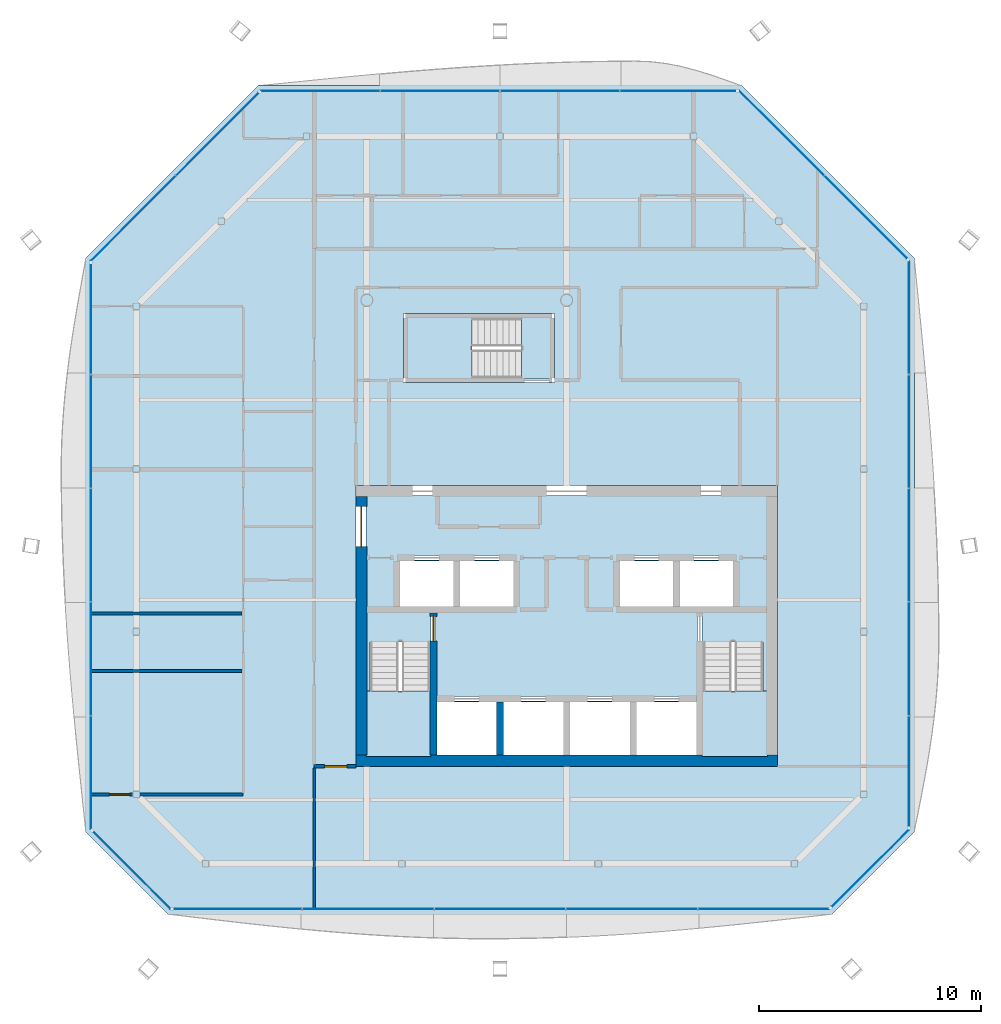
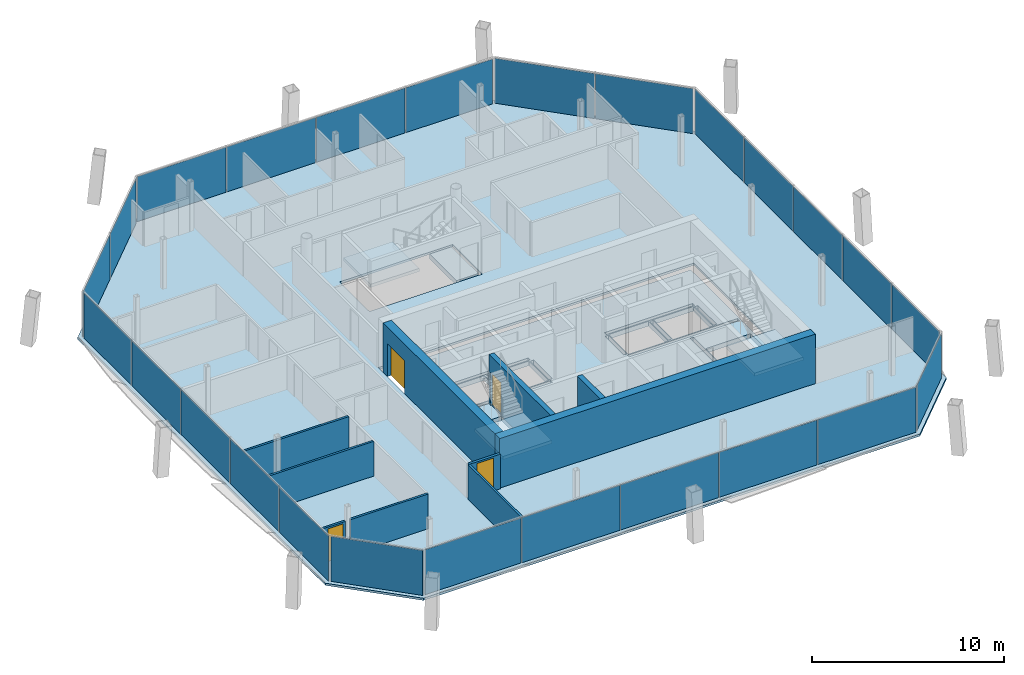
# One storey, part 11 of 17: 25 plates, 10 walls, 6 slabs, 4 doors, 4 openings, 11 elements without a shape of their own.
"""IFC4 building model written with IfcOpenShell, lengths in metres."""

from ifc_helpers import new_model, si_unit, direction, frame, frame_2d, origin, origin_2d, place, context, subcontext, project, spatial, polyline, rectangle, outline, extrude, material, layer, layer_set, type_object, element, fill, aggregate, save


model = new_model("IFC4")

# Units and contexts
model_context = context("Model", 3, precision=1e-05, world=origin(), true_north=direction((0.0, 1.0)))
body_context = subcontext(model_context, "Body", "Model", "MODEL_VIEW")
ifc_project = project(units=[si_unit("LENGTHUNIT", "METRE"), si_unit("AREAUNIT", "SQUARE_METRE"), si_unit("VOLUMEUNIT", "CUBIC_METRE"), si_unit("PLANEANGLEUNIT", "RADIAN"), si_unit("MASSUNIT", "GRAM", prefix="KILO")], contexts=[model_context])

# Site, building, storey
site_placement = place(None, origin())
site = spatial("IfcSite", under=ifc_project, at=site_placement, CompositionType="ELEMENT")
building_placement = place(site_placement, origin())
building = spatial("IfcBuilding", under=site, at=building_placement, Name="Tskaro Facet Tower", CompositionType="ELEMENT")
storey_placement = place(building_placement, frame((0.0, 0.0, 232.949951171875)))
storey = spatial("IfcBuildingStorey", under=building, at=storey_placement, Name="L60", CompositionType="ELEMENT", Elevation=232.949951171875)

# Slab
ifc_material_1 = material(Name="Concrete C30/37", Category="concrete")
ifc_layer_1 = layer(ifc_material_1, 0.139892578125, Name="Concrete C30/37")
ifc_layer_set_1 = layer_set([ifc_layer_1], Name="Concrete C30/37")
slab_type_1 = type_object("IfcSlabType", Name="Composite deck floor slab", PredefinedType="FLOOR", material=ifc_layer_set_1)
slab_1_placement = place(storey_placement, frame((0.0, 0.0, -0.139892578125)))
element("IfcSlab", 1, at=slab_1_placement, inside=storey, type_object=slab_type_1, Name="Floor slab FS3 L60", PredefinedType="FLOOR", context=body_context, shape_type="SweptSolid", body=[
    extrude(outline(polyline([(-17.947998046875, -18.68701171875), (11.947998046875, -18.68701171875), (15.68701171875, -14.947998046875), (15.68701171875, 10.883056640625), (7.883056640625, 18.68701171875), (-13.883056640625, 18.68701171875), (-21.68701171875, 10.883056640625), (-21.68701171875, -14.947998046875), (-17.947998046875, -18.68701171875)]), holes=[polyline([(-9.5, -12.0), (9.5, -12.0), (9.5, 0.64990234375), (-9.5, 0.64990234375), (-9.5, -12.0)]), polyline([(-7.35009765625, 5.300048828125), (-0.550048828125, 5.300048828125), (-0.550048828125, 8.39990234375), (-7.35009765625, 8.39990234375), (-7.35009765625, 5.300048828125)])]), origin(), (0.0, 0.0, 1.0), 0.139892578125),
])

# Curtain wall, plates
ifc_material_2 = material(Name="Bronze anodised aluminium 6063-T6", Category="aluminium")
curtain_wall_type = type_object("IfcCurtainWallType", Name="Bronze residence curtain wall (FW3)", PredefinedType="NOTDEFINED", material=ifc_material_2)
curtain_wall_1_placement = place(storey_placement, origin())
curtain_wall_1 = element("IfcCurtainWall", 2, at=curtain_wall_1_placement, inside=storey, type_object=curtain_wall_type, Name="FW3 south facet L60", PredefinedType="NOTDEFINED")
ifc_material_3 = material(Name="Bronze low-iron glass", Category="glass")
ifc_layer_2 = layer(ifc_material_3, 0.028076171875, Name="Bronze low-iron glass")
ifc_layer_set_2 = layer_set([ifc_layer_2], Name="Bronze low-iron glass")
plate_type = type_object("IfcPlateType", Name="FW3 bronze-tinted unit glazing 28", PredefinedType="CURTAIN_PANEL", material=ifc_layer_set_2)
plate_1_placement = place(storey_placement, frame((-14.817626953125, -18.43701171875, 0.0), z_axis=(0.0, 0.0, 1.0), x_axis=(1.0, 0.0, 0.0)))
plate_1 = element("IfcPlate", 3, at=plate_1_placement, type_object=plate_type, Name="FW3 south glazing 1.1", PredefinedType="CURTAIN_PANEL", context=body_context, shape_type="SweptSolid", body=[
    extrude(rectangle(XDim=5.772705078125, YDim=0.028076171875, at=origin_2d()), origin(), (0.0, 0.0, 1.0), 2.860107421875),
])
plate_2_placement = place(storey_placement, frame((-8.9375, -18.43701171875, 0.0), z_axis=(0.0, 0.0, 1.0), x_axis=(1.0, 0.0, 0.0)))
plate_2 = element("IfcPlate", 4, at=plate_2_placement, type_object=plate_type, Name="FW3 south glazing 2.1", PredefinedType="CURTAIN_PANEL", context=body_context, shape_type="SweptSolid", body=[
    extrude(rectangle(XDim=5.8876953125, YDim=0.028076171875, at=origin_2d()), origin(), (0.0, 0.0, 1.0), 2.860107421875),
])
plate_3_placement = place(storey_placement, frame((-3.0, -18.43701171875, 0.0), z_axis=(0.0, 0.0, 1.0), x_axis=(1.0, 0.0, 0.0)))
plate_3 = element("IfcPlate", 5, at=plate_3_placement, type_object=plate_type, Name="FW3 south glazing 3.1", PredefinedType="CURTAIN_PANEL", context=body_context, shape_type="SweptSolid", body=[
    extrude(rectangle(XDim=5.8876953125, YDim=0.028076171875, at=origin_2d()), origin(), (0.0, 0.0, 1.0), 2.860107421875),
])
plate_4_placement = place(storey_placement, frame((2.9375, -18.43701171875, 0.0), z_axis=(0.0, 0.0, 1.0), x_axis=(1.0, 0.0, 0.0)))
plate_4 = element("IfcPlate", 6, at=plate_4_placement, type_object=plate_type, Name="FW3 south glazing 4.1", PredefinedType="CURTAIN_PANEL", context=body_context, shape_type="SweptSolid", body=[
    extrude(rectangle(XDim=5.8876953125, YDim=0.028076171875, at=origin_2d()), origin(), (0.0, 0.0, 1.0), 2.860107421875),
])
plate_5_placement = place(storey_placement, frame((8.8876953125, -18.43701171875, 0.0), z_axis=(0.0, 0.0, 1.0), x_axis=(1.0, 0.0, 0.0)))
plate_5 = element("IfcPlate", 7, at=plate_5_placement, type_object=plate_type, Name="FW3 south glazing 5.1", PredefinedType="CURTAIN_PANEL", context=body_context, shape_type="SweptSolid", body=[
    extrude(rectangle(XDim=5.91259765625, YDim=0.028076171875, at=origin_2d()), origin(), (0.0, 0.0, 1.0), 2.860107421875),
])
aggregate(curtain_wall_1, [plate_1, plate_2, plate_3, plate_4, plate_5])

# Curtain wall, plate
curtain_wall_2_placement = place(storey_placement, origin())
curtain_wall_2 = element("IfcCurtainWall", 8, at=curtain_wall_2_placement, inside=storey, type_object=curtain_wall_type, Name="FW3 south-east facet L60", PredefinedType="NOTDEFINED")
plate_6_placement = place(storey_placement, frame((13.68994140625, -16.591064453125, 0.0), z_axis=(0.0, 0.0, 1.0), x_axis=(0.707106781187, 0.707106781187, 0.0)))
plate_6 = element("IfcPlate", 9, at=plate_6_placement, type_object=plate_type, Name="FW3 south-east glazing 1.1", PredefinedType="CURTAIN_PANEL", context=body_context, shape_type="SweptSolid", body=[
    extrude(rectangle(XDim=4.941162109375, YDim=0.028076171875, at=origin_2d()), origin(), (0.0, 0.0, 1.0), 2.860107421875),
])
aggregate(curtain_wall_2, [plate_6])

# Curtain wall, plates
curtain_wall_3_placement = place(storey_placement, origin())
curtain_wall_3 = element("IfcCurtainWall", 10, at=curtain_wall_3_placement, inside=storey, type_object=curtain_wall_type, Name="FW3 east facet L60", PredefinedType="NOTDEFINED")
plate_7_placement = place(storey_placement, frame((15.43701171875, -12.22412109375, 0.0), z_axis=(0.0, 0.0, 1.0), x_axis=(0.0, 1.0, 0.0)))
plate_7 = element("IfcPlate", 11, at=plate_7_placement, type_object=plate_type, Name="FW3 east glazing 1.1", PredefinedType="CURTAIN_PANEL", context=body_context, shape_type="SweptSolid", body=[
    extrude(rectangle(XDim=4.959716796875, YDim=0.028076171875, at=origin_2d()), origin(), (0.0, 0.0, 1.0), 2.860107421875),
])
plate_8_placement = place(storey_placement, frame((15.43701171875, -7.156982421875, 0.0), z_axis=(0.0, 0.0, 1.0), x_axis=(0.0, 1.0, 0.0)))
plate_8 = element("IfcPlate", 12, at=plate_8_placement, type_object=plate_type, Name="FW3 east glazing 2.1", PredefinedType="CURTAIN_PANEL", context=body_context, shape_type="SweptSolid", body=[
    extrude(rectangle(XDim=5.07470703125, YDim=0.028076171875, at=origin_2d()), origin(), (0.0, 0.0, 1.0), 2.860107421875),
])
plate_9_placement = place(storey_placement, frame((15.43701171875, -2.032470703125, 0.0), z_axis=(0.0, 0.0, 1.0), x_axis=(0.0, 1.0, 0.0)))
plate_9 = element("IfcPlate", 13, at=plate_9_placement, type_object=plate_type, Name="FW3 east glazing 3.1", PredefinedType="CURTAIN_PANEL", context=body_context, shape_type="SweptSolid", body=[
    extrude(rectangle(XDim=5.07470703125, YDim=0.028076171875, at=origin_2d()), origin(), (0.0, 0.0, 1.0), 2.860107421875),
])
plate_10_placement = place(storey_placement, frame((15.43701171875, 3.092041015625, 0.0), z_axis=(0.0, 0.0, 1.0), x_axis=(0.0, 1.0, 0.0)))
plate_10 = element("IfcPlate", 14, at=plate_10_placement, type_object=plate_type, Name="FW3 east glazing 4.1", PredefinedType="CURTAIN_PANEL", context=body_context, shape_type="SweptSolid", body=[
    extrude(rectangle(XDim=5.07470703125, YDim=0.028076171875, at=origin_2d()), origin(), (0.0, 0.0, 1.0), 2.860107421875),
])
plate_11_placement = place(storey_placement, frame((15.43701171875, 8.229248046875, 0.0), z_axis=(0.0, 0.0, 1.0), x_axis=(0.0, 1.0, 0.0)))
plate_11 = element("IfcPlate", 15, at=plate_11_placement, type_object=plate_type, Name="FW3 east glazing 5.1", PredefinedType="CURTAIN_PANEL", context=body_context, shape_type="SweptSolid", body=[
    extrude(rectangle(XDim=5.099609375, YDim=0.028076171875, at=origin_2d()), origin(), (0.0, 0.0, 1.0), 2.860107421875),
])
aggregate(curtain_wall_3, [plate_7, plate_8, plate_9, plate_10, plate_11])

curtain_wall_4_placement = place(storey_placement, origin())
curtain_wall_4 = element("IfcCurtainWall", 16, at=curtain_wall_4_placement, inside=storey, type_object=curtain_wall_type, Name="FW3 north-east facet L60", PredefinedType="NOTDEFINED")
plate_12_placement = place(storey_placement, frame((13.48193359375, 12.734130859375, 0.0), z_axis=(0.0, 0.0, 1.0), x_axis=(-0.707106781187, 0.707106781187, 0.0)))
plate_12 = element("IfcPlate", 17, at=plate_12_placement, type_object=plate_type, Name="FW3 north-east glazing 1.1", PredefinedType="CURTAIN_PANEL", context=body_context, shape_type="SweptSolid", body=[
    extrude(rectangle(XDim=5.25, YDim=0.028076171875, at=origin_2d()), origin(), (0.0, 0.0, 1.0), 2.860107421875),
])
plate_13_placement = place(storey_placement, frame((9.6845703125, 16.53125, 0.0), z_axis=(0.0, 0.0, 1.0), x_axis=(-0.707106781187, 0.707106781187, 0.0)))
plate_13 = element("IfcPlate", 18, at=plate_13_placement, type_object=plate_type, Name="FW3 north-east glazing 2.1", PredefinedType="CURTAIN_PANEL", context=body_context, shape_type="SweptSolid", body=[
    extrude(rectangle(XDim=5.39013671875, YDim=0.028076171875, at=origin_2d()), origin(), (0.0, 0.0, 1.0), 2.860107421875),
])
aggregate(curtain_wall_4, [plate_12, plate_13])

curtain_wall_5_placement = place(storey_placement, origin())
curtain_wall_5 = element("IfcCurtainWall", 19, at=curtain_wall_5_placement, inside=storey, type_object=curtain_wall_type, Name="FW3 north facet L60", PredefinedType="NOTDEFINED")
plate_14_placement = place(storey_placement, frame((5.02685546875, 18.43701171875, 0.0), z_axis=(0.0, 0.0, 1.0), x_axis=(-1.0, 0.0, 0.0)))
plate_14 = element("IfcPlate", 20, at=plate_14_placement, type_object=plate_type, Name="FW3 north glazing 1.1", PredefinedType="CURTAIN_PANEL", context=body_context, shape_type="SweptSolid", body=[
    extrude(rectangle(XDim=5.224609375, YDim=0.028076171875, at=origin_2d()), origin(), (0.0, 0.0, 1.0), 2.860107421875),
])
plate_15_placement = place(storey_placement, frame((-0.30517578125, 18.43701171875, 0.0), z_axis=(0.0, 0.0, 1.0), x_axis=(-1.0, 0.0, 0.0)))
plate_15 = element("IfcPlate", 21, at=plate_15_placement, type_object=plate_type, Name="FW3 north glazing 2.1", PredefinedType="CURTAIN_PANEL", context=body_context, shape_type="SweptSolid", body=[
    extrude(rectangle(XDim=5.339599609375, YDim=0.028076171875, at=origin_2d()), origin(), (0.0, 0.0, 1.0), 2.860107421875),
])
plate_16_placement = place(storey_placement, frame((-5.69482421875, 18.43701171875, 0.0), z_axis=(0.0, 0.0, 1.0), x_axis=(-1.0, 0.0, 0.0)))
plate_16 = element("IfcPlate", 22, at=plate_16_placement, type_object=plate_type, Name="FW3 north glazing 3.1", PredefinedType="CURTAIN_PANEL", context=body_context, shape_type="SweptSolid", body=[
    extrude(rectangle(XDim=5.339599609375, YDim=0.028076171875, at=origin_2d()), origin(), (0.0, 0.0, 1.0), 2.860107421875),
])
plate_17_placement = place(storey_placement, frame((-11.0966796875, 18.43701171875, 0.0), z_axis=(0.0, 0.0, 1.0), x_axis=(-1.0, 0.0, 0.0)))
plate_17 = element("IfcPlate", 23, at=plate_17_placement, type_object=plate_type, Name="FW3 north glazing 4.1", PredefinedType="CURTAIN_PANEL", context=body_context, shape_type="SweptSolid", body=[
    extrude(rectangle(XDim=5.364501953125, YDim=0.028076171875, at=origin_2d()), origin(), (0.0, 0.0, 1.0), 2.860107421875),
])
aggregate(curtain_wall_5, [plate_14, plate_15, plate_16, plate_17])

curtain_wall_6_placement = place(storey_placement, origin())
curtain_wall_6 = element("IfcCurtainWall", 24, at=curtain_wall_6_placement, inside=storey, type_object=curtain_wall_type, Name="FW3 north-west facet L60", PredefinedType="NOTDEFINED")
plate_18_placement = place(storey_placement, frame((-15.734130859375, 16.48193359375, 0.0), z_axis=(0.0, 0.0, 1.0), x_axis=(-0.707106781187, -0.707106781187, 0.0)))
plate_18 = element("IfcPlate", 25, at=plate_18_placement, type_object=plate_type, Name="FW3 north-west glazing 1.1", PredefinedType="CURTAIN_PANEL", context=body_context, shape_type="SweptSolid", body=[
    extrude(rectangle(XDim=5.25, YDim=0.028076171875, at=origin_2d()), origin(), (0.0, 0.0, 1.0), 2.860107421875),
])
plate_19_placement = place(storey_placement, frame((-19.53125, 12.6845703125, 0.0), z_axis=(0.0, 0.0, 1.0), x_axis=(-0.707106781187, -0.707106781187, 0.0)))
plate_19 = element("IfcPlate", 26, at=plate_19_placement, type_object=plate_type, Name="FW3 north-west glazing 2.1", PredefinedType="CURTAIN_PANEL", context=body_context, shape_type="SweptSolid", body=[
    extrude(rectangle(XDim=5.39013671875, YDim=0.028076171875, at=origin_2d()), origin(), (0.0, 0.0, 1.0), 2.860107421875),
])
aggregate(curtain_wall_6, [plate_18, plate_19])

curtain_wall_7_placement = place(storey_placement, origin())
curtain_wall_7 = element("IfcCurtainWall", 27, at=curtain_wall_7_placement, inside=storey, type_object=curtain_wall_type, Name="FW3 west facet L60", PredefinedType="NOTDEFINED")
plate_20_placement = place(storey_placement, frame((-21.43701171875, 8.1591796875, 0.0), z_axis=(0.0, 0.0, 1.0), x_axis=(0.0, -1.0, 0.0)))
plate_20 = element("IfcPlate", 28, at=plate_20_placement, type_object=plate_type, Name="FW3 west glazing 1.1", PredefinedType="CURTAIN_PANEL", context=body_context, shape_type="SweptSolid", body=[
    extrude(rectangle(XDim=4.959716796875, YDim=0.028076171875, at=origin_2d()), origin(), (0.0, 0.0, 1.0), 2.860107421875),
])
plate_21_placement = place(storey_placement, frame((-21.43701171875, 3.092041015625, 0.0), z_axis=(0.0, 0.0, 1.0), x_axis=(0.0, -1.0, 0.0)))
plate_21 = element("IfcPlate", 29, at=plate_21_placement, type_object=plate_type, Name="FW3 west glazing 2.1", PredefinedType="CURTAIN_PANEL", context=body_context, shape_type="SweptSolid", body=[
    extrude(rectangle(XDim=5.07470703125, YDim=0.028076171875, at=origin_2d()), origin(), (0.0, 0.0, 1.0), 2.860107421875),
])
plate_22_placement = place(storey_placement, frame((-21.43701171875, -2.032470703125, 0.0), z_axis=(0.0, 0.0, 1.0), x_axis=(0.0, -1.0, 0.0)))
plate_22 = element("IfcPlate", 30, at=plate_22_placement, type_object=plate_type, Name="FW3 west glazing 3.1", PredefinedType="CURTAIN_PANEL", context=body_context, shape_type="SweptSolid", body=[
    extrude(rectangle(XDim=5.07470703125, YDim=0.028076171875, at=origin_2d()), origin(), (0.0, 0.0, 1.0), 2.860107421875),
])
plate_23_placement = place(storey_placement, frame((-21.43701171875, -7.156982421875, 0.0), z_axis=(0.0, 0.0, 1.0), x_axis=(0.0, -1.0, 0.0)))
plate_23 = element("IfcPlate", 31, at=plate_23_placement, type_object=plate_type, Name="FW3 west glazing 4.1", PredefinedType="CURTAIN_PANEL", context=body_context, shape_type="SweptSolid", body=[
    extrude(rectangle(XDim=5.07470703125, YDim=0.028076171875, at=origin_2d()), origin(), (0.0, 0.0, 1.0), 2.860107421875),
])
plate_24_placement = place(storey_placement, frame((-21.43701171875, -12.294189453125, 0.0), z_axis=(0.0, 0.0, 1.0), x_axis=(0.0, -1.0, 0.0)))
plate_24 = element("IfcPlate", 32, at=plate_24_placement, type_object=plate_type, Name="FW3 west glazing 5.1", PredefinedType="CURTAIN_PANEL", context=body_context, shape_type="SweptSolid", body=[
    extrude(rectangle(XDim=5.099609375, YDim=0.028076171875, at=origin_2d()), origin(), (0.0, 0.0, 1.0), 2.860107421875),
])
aggregate(curtain_wall_7, [plate_20, plate_21, plate_22, plate_23, plate_24])

# Curtain wall, plate
curtain_wall_8_placement = place(storey_placement, origin())
curtain_wall_8 = element("IfcCurtainWall", 33, at=curtain_wall_8_placement, inside=storey, type_object=curtain_wall_type, Name="FW3 south-west facet L60", PredefinedType="NOTDEFINED")
plate_25_placement = place(storey_placement, frame((-19.591064453125, -16.68994140625, 0.0), z_axis=(0.0, 0.0, 1.0), x_axis=(0.707106781187, -0.707106781187, 0.0)))
plate_25 = element("IfcPlate", 34, at=plate_25_placement, type_object=plate_type, Name="FW3 south-west glazing 1.1", PredefinedType="CURTAIN_PANEL", context=body_context, shape_type="SweptSolid", body=[
    extrude(rectangle(XDim=4.941162109375, YDim=0.028076171875, at=origin_2d()), origin(), (0.0, 0.0, 1.0), 2.860107421875),
])
aggregate(curtain_wall_8, [plate_25])

# Stair, slab
ifc_material_4 = material(Name="Concrete C40/50", Category="concrete")
stair_type = type_object("IfcStairType", Name="ST-TWR", PredefinedType="HALF_TURN_STAIR", material=ifc_material_4)
stair_1_placement = place(storey_placement, origin())
stair_1 = element("IfcStair", 35, at=stair_1_placement, inside=storey, type_object=stair_type, Name="L60 Exit stair 1", PredefinedType="HALF_TURN_STAIR")
ifc_layer_3 = layer(ifc_material_4, 0.199951171875, Name="Concrete C40/50")
ifc_layer_set_3 = layer_set([ifc_layer_3], Name="Concrete C40/50")
slab_type_2 = type_object("IfcSlabType", Name="SL-LANDING", PredefinedType="LANDING", material=ifc_layer_set_3)
slab_2_placement = place(storey_placement, frame((0.0, 0.0, 1.375)))
slab_2 = element("IfcSlab", 36, at=slab_2_placement, type_object=slab_type_2, Name="ST-1 landing 1", PredefinedType="LANDING", context=body_context, shape_type="SweptSolid", body=[
    extrude(outline(polyline([(-9.050048828125, -11.550048828125), (-6.10009765625, -11.550048828125), (-6.10009765625, -8.614990234375), (-9.050048828125, -8.614990234375), (-9.050048828125, -11.550048828125)])), origin(), (0.0, 0.0, 1.0), 0.199951171875),
])
aggregate(stair_1, [slab_2])

stair_2_placement = place(storey_placement, origin())
stair_2 = element("IfcStair", 37, at=stair_2_placement, inside=storey, type_object=stair_type, Name="L60 Exit stair 2", PredefinedType="HALF_TURN_STAIR")
slab_3_placement = place(storey_placement, frame((0.0, 0.0, 1.375)))
slab_3 = element("IfcSlab", 38, at=slab_3_placement, type_object=slab_type_2, Name="ST-2 landing 1", PredefinedType="LANDING", context=body_context, shape_type="SweptSolid", body=[
    extrude(outline(polyline([(6.10009765625, -11.550048828125), (9.050048828125, -11.550048828125), (9.050048828125, -8.614990234375), (6.10009765625, -8.614990234375), (6.10009765625, -11.550048828125)])), origin(), (0.0, 0.0, 1.0), 0.199951171875),
])
aggregate(stair_2, [slab_3])

stair_3_placement = place(storey_placement, origin())
stair_3 = element("IfcStair", 39, at=stair_3_placement, inside=storey, type_object=stair_type, Name="L60 Exit stair 3", PredefinedType="HALF_TURN_STAIR")
slab_4_placement = place(storey_placement, frame((0.0, 0.0, 1.375)))
slab_4 = element("IfcSlab", 40, at=slab_4_placement, type_object=slab_type_2, Name="ST-3 landing 1", PredefinedType="LANDING", context=body_context, shape_type="SweptSolid", body=[
    extrude(outline(polyline([(-7.199951171875, 5.449951171875), (-4.264892578125, 5.449951171875), (-4.264892578125, 8.25), (-7.199951171875, 8.25), (-7.199951171875, 5.449951171875)])), origin(), (0.0, 0.0, 1.0), 0.199951171875),
])
aggregate(stair_3, [slab_4])

# Slabs
ifc_material_5 = material(Name="Concrete C60/75", Category="concrete")
ifc_layer_4 = layer(ifc_material_5, 0.300048828125, Name="Concrete C60/75")
ifc_layer_set_4 = layer_set([ifc_layer_4], Name="Concrete C60/75")
slab_type_3 = type_object("IfcSlabType", Name="SLAB-CORE", PredefinedType="FLOOR", material=ifc_layer_set_4)
slab_5_placement = place(storey_placement, frame((0.0, 0.0, -0.300048828125)))
element("IfcSlab", 41, at=slab_5_placement, inside=storey, type_object=slab_type_3, Name="Core floor slab 1", PredefinedType="FLOOR", context=body_context, shape_type="SweptSolid", body=[
    extrude(outline(polyline([(-9.050048828125, 0.199951171875), (9.050048828125, 0.199951171875), (9.050048828125, 0.10009765625), (9.050048828125, -11.449951171875), (9.050048828125, -11.550048828125), (-9.050048828125, -11.550048828125), (-9.050048828125, -11.449951171875), (-9.050048828125, 0.10009765625), (-9.050048828125, 0.199951171875)]), holes=[polyline([(-5.85009765625, -9.10009765625), (-5.85009765625, -11.5), (-3.14990234375, -11.5), (-3.14990234375, -9.10009765625), (-5.85009765625, -9.10009765625)]), polyline([(-3.10009765625, -11.449951171875), (-2.89990234375, -11.449951171875), (-2.89990234375, -9.14990234375), (-3.10009765625, -9.14990234375), (-3.10009765625, -11.449951171875)]), polyline([(-2.85009765625, -9.10009765625), (-2.85009765625, -11.5), (-0.14990234375, -11.5), (-0.14990234375, -9.10009765625), (-2.85009765625, -9.10009765625)]), polyline([(-6.10009765625, -11.449951171875), (-5.89990234375, -11.449951171875), (-5.89990234375, -5.14990234375), (-6.10009765625, -5.14990234375), (-6.10009765625, -11.449951171875)]), polyline([(-8.949951171875, -5.050048828125), (-2.300048828125, -5.050048828125), (-2.300048828125, -4.85009765625), (-8.949951171875, -4.85009765625), (-8.949951171875, -5.050048828125)]), polyline([(-7.75, -4.75), (-7.550048828125, -4.75), (-7.550048828125, -2.800048828125), (-7.75, -2.800048828125), (-7.75, -4.75)]), polyline([(-7.5, -2.75), (-7.5, -4.800048828125), (-5.10009765625, -4.800048828125), (-5.10009765625, -2.75), (-7.5, -2.75)]), polyline([(-5.050048828125, -4.75), (-4.85009765625, -4.75), (-4.85009765625, -2.800048828125), (-5.050048828125, -2.800048828125), (-5.050048828125, -4.75)]), polyline([(-2.39990234375, -2.75), (-4.800048828125, -2.75), (-4.800048828125, -4.800048828125), (-2.39990234375, -4.800048828125), (-2.39990234375, -2.75)]), polyline([(-2.35009765625, -4.75), (-2.14990234375, -4.75), (-2.14990234375, -2.800048828125), (-2.35009765625, -2.800048828125), (-2.35009765625, -4.75)]), polyline([(-7.60009765625, -2.699951171875), (-2.300048828125, -2.699951171875), (-2.300048828125, -2.5), (-7.60009765625, -2.5), (-7.60009765625, -2.699951171875)]), polyline([(-0.10009765625, -11.449951171875), (0.10009765625, -11.449951171875), (0.10009765625, -9.14990234375), (-0.10009765625, -9.14990234375), (-0.10009765625, -11.449951171875)]), polyline([(0.14990234375, -9.10009765625), (0.14990234375, -11.5), (2.85009765625, -11.5), (2.85009765625, -9.10009765625), (0.14990234375, -9.10009765625)]), polyline([(2.89990234375, -11.449951171875), (3.10009765625, -11.449951171875), (3.10009765625, -9.14990234375), (2.89990234375, -9.14990234375), (2.89990234375, -11.449951171875)]), polyline([(3.14990234375, -9.10009765625), (3.14990234375, -11.5), (5.85009765625, -11.5), (5.85009765625, -9.10009765625), (3.14990234375, -9.10009765625)]), polyline([(-5.800048828125, -9.050048828125), (5.800048828125, -9.050048828125), (5.800048828125, -8.85009765625), (-5.800048828125, -8.85009765625), (-5.800048828125, -9.050048828125)]), polyline([(5.89990234375, -11.449951171875), (6.10009765625, -11.449951171875), (6.10009765625, -5.14990234375), (5.89990234375, -5.14990234375), (5.89990234375, -11.449951171875)]), polyline([(2.300048828125, -5.050048828125), (8.949951171875, -5.050048828125), (8.949951171875, -4.85009765625), (2.300048828125, -4.85009765625), (2.300048828125, -5.050048828125)]), polyline([(2.14990234375, -4.75), (2.35009765625, -4.75), (2.35009765625, -2.800048828125), (2.14990234375, -2.800048828125), (2.14990234375, -4.75)]), polyline([(2.39990234375, -4.800048828125), (4.800048828125, -4.800048828125), (4.800048828125, -2.75), (2.39990234375, -2.75), (2.39990234375, -4.800048828125)]), polyline([(4.85009765625, -4.75), (5.050048828125, -4.75), (5.050048828125, -2.800048828125), (4.85009765625, -2.800048828125), (4.85009765625, -4.75)]), polyline([(5.10009765625, -4.800048828125), (7.5, -4.800048828125), (7.5, -2.75), (5.10009765625, -2.75), (5.10009765625, -4.800048828125)]), polyline([(7.550048828125, -4.75), (7.75, -4.75), (7.75, -2.800048828125), (7.550048828125, -2.800048828125), (7.550048828125, -4.75)]), polyline([(2.300048828125, -2.699951171875), (7.60009765625, -2.699951171875), (7.60009765625, -2.5), (2.300048828125, -2.5), (2.300048828125, -2.699951171875)]), polyline([(-8.85009765625, -11.5), (-6.14990234375, -11.5), (-6.14990234375, -6.39501953125), (-8.85009765625, -6.39501953125), (-8.85009765625, -11.5)]), polyline([(6.14990234375, -6.39501953125), (6.14990234375, -11.5), (8.85009765625, -11.5), (8.85009765625, -6.39501953125), (6.14990234375, -6.39501953125)])]), origin(), (0.0, 0.0, 1.0), 0.300048828125),
])
slab_6_placement = place(storey_placement, frame((0.0, 0.0, -0.300048828125)))
element("IfcSlab", 42, at=slab_6_placement, inside=storey, type_object=slab_type_3, Name="Stair 3 floor landing 1", PredefinedType="FLOOR", context=body_context, shape_type="SweptSolid", body=[
    extrude(outline(polyline([(-2.02490234375, 5.449951171875), (-0.699951171875, 5.449951171875), (-0.699951171875, 8.25), (-2.02490234375, 8.25), (-2.02490234375, 5.449951171875)])), origin(), (0.0, 0.0, 1.0), 0.300048828125),
])

# Wall, opening, door
ifc_layer_5 = layer(ifc_material_5, 0.300048828125, Name="Concrete C60/75")
ifc_layer_set_5 = layer_set([ifc_layer_5], Name="Concrete C60/75")
wall_type_1 = type_object("IfcWallType", Name="CORE-SHAFT", PredefinedType="SHEAR", material=ifc_layer_set_5)
wall_1_placement = place(storey_placement, frame((-6.0, -11.5, 0.0), z_axis=(0.0, 0.0, 1.0), x_axis=(0.0, 1.0, 0.0)))
wall_1 = element("IfcWall", 43, at=wall_1_placement, inside=storey, type_object=wall_type_1, Name="Shaft wall W049", PredefinedType="SHEAR", context=body_context, shape_type="SweptSolid", body=[
    extrude(rectangle(XDim=6.39990234375, YDim=0.300048828125, at=frame_2d((3.199951171875, 0.0))), origin(), (0.0, 0.0, 1.0), 3.150146484375),
])
opening_1_placement = place(wall_1_placement, frame((5.14990234375, 0.0, 0.0)))
opening_1 = element("IfcOpeningElement", 44, at=opening_1_placement, cuts=wall_1, Name="Opening ST-1-D1", PredefinedType="OPENING", context=body_context, shape_type="SweptSolid", body=[
    extrude(rectangle(XDim=1.10009765625, YDim=2.10009765625, at=frame_2d((0.550048828125, 1.050048828125))), frame((0.0, 0.159912109375, 0.0), z_axis=(0.0, -1.0, 0.0), x_axis=(1.0, 0.0, 0.0)), (0.0, 0.0, 1.0), 0.320068359375),
])
ifc_material_6 = material(Name="Steel", Category="steel")
door_type_1 = type_object("IfcDoorType", Name="D-STAIR", OperationType="NOTDEFINED", PredefinedType="DOOR", material=ifc_material_6)
door_1_placement = place(opening_1_placement, origin())
door_1 = element("IfcDoor", 45, at=door_1_placement, inside=storey, type_object=door_type_1, Name="Stair door 1", OperationType="SINGLE_SWING_LEFT", OverallHeight=2.10009765625, OverallWidth=1.10009765625, PredefinedType="DOOR", context=body_context, shape_type="SweptSolid", body=[
    extrude(rectangle(XDim=1.10009765625, YDim=2.10009765625, at=frame_2d((0.550048828125, 1.050048828125))), frame((0.0, 0.02490234375, 0.0), z_axis=(0.0, -1.0, 0.0), x_axis=(1.0, 0.0, 0.0)), (0.0, 0.0, 1.0), 0.050048828125),
])
fill(opening_1, door_1)

# Walls
wall_2_placement = place(storey_placement, frame((-3.0, -11.5, 0.0), z_axis=(0.0, 0.0, 1.0), x_axis=(0.0, 1.0, 0.0)))
element("IfcWall", 46, at=wall_2_placement, inside=storey, type_object=wall_type_1, Name="Shaft wall W052", PredefinedType="SHEAR", context=body_context, shape_type="SweptSolid", body=[
    extrude(rectangle(XDim=2.39990234375, YDim=0.300048828125, at=frame_2d((1.199951171875, 0.0))), origin(), (0.0, 0.0, 1.0), 3.150146484375),
])
ifc_layer_6 = layer(ifc_material_4, 0.5, Name="Concrete C40/50")
ifc_layer_set_6 = layer_set([ifc_layer_6], Name="Concrete C40/50")
wall_type_2 = type_object("IfcWallType", Name="Core wall 500", PredefinedType="SHEAR", material=ifc_layer_set_6)
wall_3_placement = place(storey_placement, frame((-9.5, -11.75, 0.0), z_axis=(0.0, 0.0, 1.0), x_axis=(1.0, 0.0, 0.0)))
element("IfcWall", 47, at=wall_3_placement, inside=storey, type_object=wall_type_2, Name="Core wall CW-Z3S", PredefinedType="SHEAR", context=body_context, shape_type="SweptSolid", body=[
    extrude(rectangle(XDim=19.0, YDim=0.5, at=frame_2d((9.5, 0.0))), origin(), (0.0, 0.0, 1.0), 3.150146484375),
])

# Wall, opening, door
wall_4_placement = place(storey_placement, frame((-9.25, -11.5, 0.0), z_axis=(0.0, 0.0, 1.0), x_axis=(0.0, 1.0, 0.0)))
wall_4 = element("IfcWall", 48, at=wall_4_placement, inside=storey, type_object=wall_type_2, Name="Core wall CW-Z3W", PredefinedType="SHEAR", context=body_context, shape_type="SweptSolid", body=[
    extrude(rectangle(XDim=11.64990234375, YDim=0.5, at=frame_2d((5.824951171875, 0.0))), origin(), (0.0, 0.0, 1.0), 3.150146484375),
])
opening_2_placement = place(wall_4_placement, frame((9.39990234375, 0.0, 0.0)))
opening_2 = element("IfcOpeningElement", 49, at=opening_2_placement, cuts=wall_4, Name="Opening T17-D11", PredefinedType="OPENING", context=body_context, shape_type="SweptSolid", body=[
    extrude(rectangle(XDim=1.800048828125, YDim=2.10009765625, at=frame_2d((0.89990234375, 1.050048828125))), frame((0.0, 0.260009765625, 0.0), z_axis=(0.0, -1.0, 0.0), x_axis=(1.0, 0.0, 0.0)), (0.0, 0.0, 1.0), 0.52001953125),
])
door_type_2 = type_object("IfcDoorType", Name="D-CORE-PAIR", OperationType="NOTDEFINED", PredefinedType="DOOR", material=ifc_material_6)
door_2_placement = place(opening_2_placement, origin())
door_2 = element("IfcDoor", 50, at=door_2_placement, inside=storey, type_object=door_type_2, Name="Door T17-D11", OperationType="DOUBLE_DOOR_SINGLE_SWING", OverallHeight=2.10009765625, OverallWidth=1.800048828125, PredefinedType="DOOR", context=body_context, shape_type="SweptSolid", body=[
    extrude(rectangle(XDim=1.800048828125, YDim=2.10009765625, at=frame_2d((0.89990234375, 1.050048828125))), frame((0.0, 0.02490234375, 0.0), z_axis=(0.0, -1.0, 0.0), x_axis=(1.0, 0.0, 0.0)), (0.0, 0.0, 1.0), 0.050048828125),
])
fill(opening_2, door_2)

ifc_material_7 = material(Name="Gypsum board on steel studs", Category="steel")
ifc_layer_7 = layer(ifc_material_7, 0.125, Name="Gypsum board on steel studs")
ifc_layer_set_7 = layer_set([ifc_layer_7], Name="Gypsum board on steel studs")
wall_type_3 = type_object("IfcWallType", Name="PART", PredefinedType="PARTITIONING", material=ifc_layer_set_7)
wall_5_placement = place(storey_placement, frame((-21.385009765625, -13.27001953125, 0.0), z_axis=(0.0, 0.0, 1.0), x_axis=(1.0, 0.0, 0.0)))
wall_5 = element("IfcWall", 51, at=wall_5_placement, inside=storey, type_object=wall_type_3, Name="Partition W001", PredefinedType="PARTITIONING", context=body_context, shape_type="SweptSolid", body=[
    extrude(rectangle(XDim=1.843994140625, YDim=0.125, at=frame_2d((0.921875, 0.0))), origin(), (0.0, 0.0, 1.0), 2.2099609375),
])
opening_3_placement = place(wall_5_placement, frame((0.7939453125, 0.0, 0.0)))
opening_3 = element("IfcOpeningElement", 52, at=opening_3_placement, cuts=wall_5, Name="Opening T17-D01", PredefinedType="OPENING", context=body_context, shape_type="SweptSolid", body=[
    extrude(rectangle(XDim=0.89990234375, YDim=2.10009765625, at=frame_2d((0.449951171875, 1.050048828125))), frame((0.0, 0.072509765625, 0.0), z_axis=(0.0, -1.0, 0.0), x_axis=(1.0, 0.0, 0.0)), (0.0, 0.0, 1.0), 0.14501953125),
])
ifc_material_8 = material(Name="Timber", Category="wood")
door_type_3 = type_object("IfcDoorType", Name="D-ROOM", OperationType="NOTDEFINED", PredefinedType="DOOR", material=ifc_material_8)
door_3_placement = place(opening_3_placement, origin())
door_3 = element("IfcDoor", 53, at=door_3_placement, inside=storey, type_object=door_type_3, Name="Door T17-D01", OperationType="SINGLE_SWING_LEFT", OverallHeight=2.10009765625, OverallWidth=0.89990234375, PredefinedType="DOOR", context=body_context, shape_type="SweptSolid", body=[
    extrude(rectangle(XDim=0.89990234375, YDim=2.10009765625, at=frame_2d((0.449951171875, 1.050048828125))), frame((0.0, 0.02490234375, 0.0), z_axis=(0.0, -1.0, 0.0), x_axis=(1.0, 0.0, 0.0)), (0.0, 0.0, 1.0), 0.050048828125),
])
fill(opening_3, door_3)

# Walls
wall_6_placement = place(storey_placement, frame((-19.240966796875, -13.27001953125, 0.0), z_axis=(0.0, 0.0, 1.0), x_axis=(1.0, 0.0, 0.0)))
element("IfcWall", 54, at=wall_6_placement, inside=storey, type_object=wall_type_3, Name="Partition W002", PredefinedType="PARTITIONING", context=body_context, shape_type="SweptSolid", body=[
    extrude(rectangle(XDim=4.666015625, YDim=0.125, at=frame_2d((2.3330078125, 0.0))), origin(), (0.0, 0.0, 1.0), 2.2099609375),
])
for number, where, z_axis, x_axis, name in (
    (55, (-21.385009765625, -7.7099609375, 0.0), (0.0, 0.0, 1.0), (1.0, 0.0, 0.0), "Partition W006"),
    (56, (-21.385009765625, -5.110107421875, 0.0), (0.0, 0.0, 1.0), (1.0, 0.0, 0.0), "Partition W007"),
):
    element("IfcWall", number, at=place(storey_placement, frame(where, z_axis=z_axis, x_axis=x_axis)), inside=storey, type_object=wall_type_3, Name=name, PredefinedType="PARTITIONING", context=body_context, shape_type="SweptSolid", body=[
        extrude(rectangle(XDim=6.74755859375, YDim=0.125, at=frame_2d((3.373779296875, 0.0))), origin(), (0.0, 0.0, 1.0), 2.2099609375),
    ])
wall_7_placement = place(storey_placement, frame((-11.375, -18.385009765625, 0.0), z_axis=(0.0, 0.0, 1.0), x_axis=(0.0, 1.0, 0.0)))
element("IfcWall", 57, at=wall_7_placement, inside=storey, type_object=wall_type_3, Name="Partition W040", PredefinedType="PARTITIONING", context=body_context, shape_type="SweptSolid", body=[
    extrude(rectangle(XDim=6.31005859375, YDim=0.125, at=frame_2d((3.155029296875, 0.0))), origin(), (0.0, 0.0, 1.0), 2.2099609375),
])

# Wall, opening, door
ifc_layer_8 = layer(ifc_material_7, 0.14990234375, Name="Gypsum board on steel studs")
ifc_layer_set_8 = layer_set([ifc_layer_8], Name="Gypsum board on steel studs")
wall_type_4 = type_object("IfcWallType", Name="PART-CORR", PredefinedType="PARTITIONING", material=ifc_layer_set_8)
wall_8_placement = place(storey_placement, frame((-9.5, -12.0, 0.0), z_axis=(0.0, 0.0, 1.0), x_axis=(-1.0, 0.0, 0.0)))
wall_8 = element("IfcWall", 58, at=wall_8_placement, inside=storey, type_object=wall_type_4, Name="Corridor wall W003", PredefinedType="PARTITIONING", context=body_context, shape_type="SweptSolid", body=[
    extrude(rectangle(XDim=1.875, YDim=0.14990234375, at=frame_2d((0.9375, 0.0))), origin(), (0.0, 0.0, 1.0), 2.2099609375),
])
opening_4_placement = place(wall_8_placement, frame((0.39990234375, 0.0, 0.0)))
opening_4 = element("IfcOpeningElement", 59, at=opening_4_placement, cuts=wall_8, Name="Opening T17-D02", PredefinedType="OPENING", context=body_context, shape_type="SweptSolid", body=[
    extrude(rectangle(XDim=1.0, YDim=2.10009765625, at=frame_2d((0.5, 1.050048828125))), frame((0.0, 0.0849609375, 0.0), z_axis=(0.0, -1.0, 0.0), x_axis=(1.0, 0.0, 0.0)), (0.0, 0.0, 1.0), 0.169921875),
])
door_type_4 = type_object("IfcDoorType", Name="D-ROOM-WIDE", OperationType="NOTDEFINED", PredefinedType="DOOR", material=ifc_material_8)
door_4_placement = place(opening_4_placement, origin())
door_4 = element("IfcDoor", 60, at=door_4_placement, inside=storey, type_object=door_type_4, Name="Door T17-D02", OperationType="SINGLE_SWING_RIGHT", OverallHeight=2.10009765625, OverallWidth=1.0, PredefinedType="DOOR", context=body_context, shape_type="SweptSolid", body=[
    extrude(rectangle(XDim=1.0, YDim=2.10009765625, at=frame_2d((0.5, 1.050048828125))), frame((0.0, 0.02490234375, 0.0), z_axis=(0.0, -1.0, 0.0), x_axis=(1.0, 0.0, 0.0)), (0.0, 0.0, 1.0), 0.050048828125),
])
fill(opening_4, door_4)

save(model, "model.ifc")
